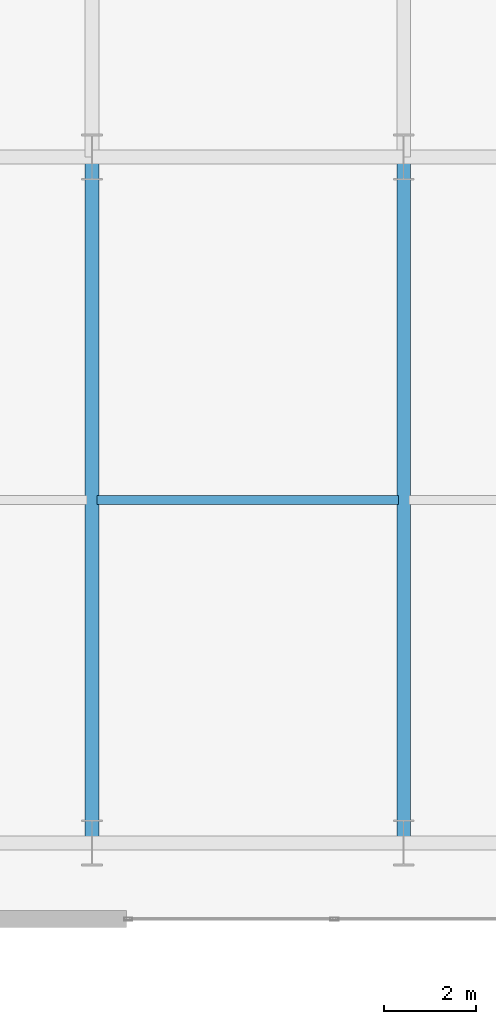
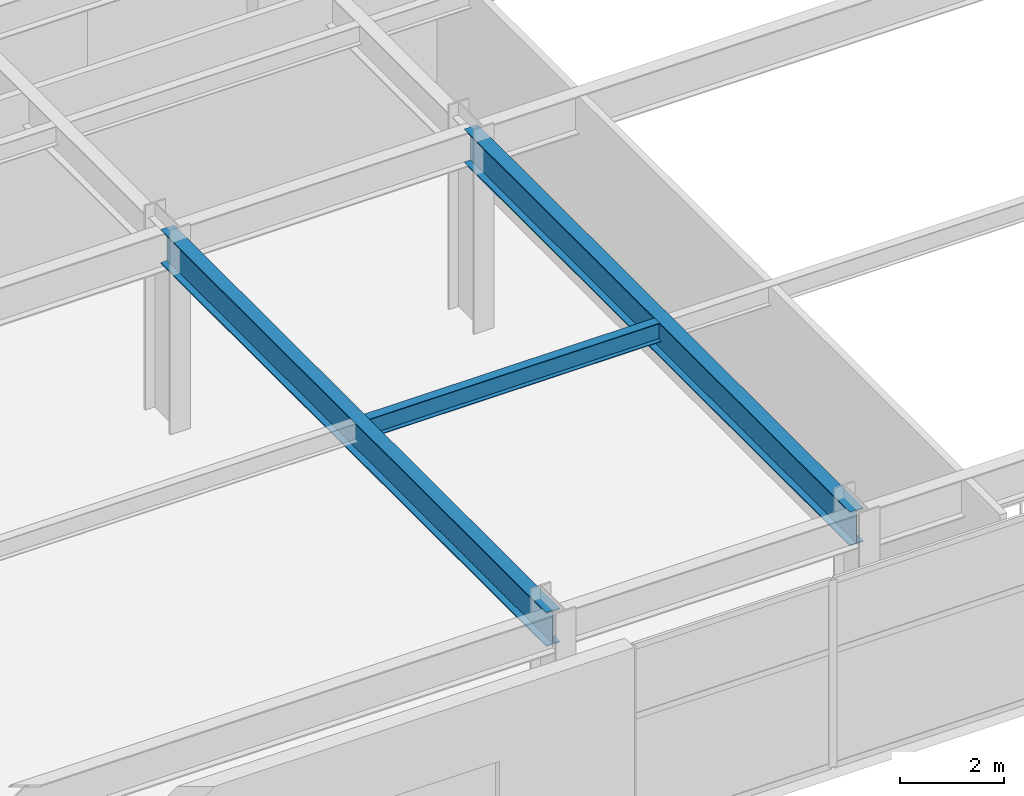
# One storey, part 5 of 25: 3 beams.
"""IFC4 building model written with IfcOpenShell, lengths in metres."""

from ifc_helpers import new_model, si_unit, direction, frame, origin, origin_2d, place, context, subcontext, project, spatial, i_section, extrude, material, material_profile, profile_set, type_object, element, save


model = new_model("IFC4")

# Units and contexts
model_context = context("Model", 3, precision=1e-05, world=origin(), true_north=direction((0.0, 1.0)))
body_context = subcontext(model_context, "Body", "Model", "MODEL_VIEW")
ifc_project = project(units=[si_unit("LENGTHUNIT", "METRE"), si_unit("AREAUNIT", "SQUARE_METRE"), si_unit("VOLUMEUNIT", "CUBIC_METRE"), si_unit("PLANEANGLEUNIT", "RADIAN"), si_unit("MASSUNIT", "GRAM", prefix="KILO")], contexts=[model_context])

# Site, building, storey
site_placement = place(None, origin())
site = spatial("IfcSite", under=ifc_project, at=site_placement, CompositionType="ELEMENT")
building_placement = place(site_placement, origin())
building = spatial("IfcBuilding", under=site, at=building_placement, Name="Haevon Station Towers", CompositionType="ELEMENT")
storey_placement = place(building_placement, frame((0.0, 0.0, 6.0)))
storey = spatial("IfcBuildingStorey", under=building, at=storey_placement, Name="L01", CompositionType="ELEMENT", Elevation=6.0)

# Beams
ifc_material = material(Name="Steel S355", Category="steel")
ifc_material_profile_1 = material_profile(ifc_material, i_section(OverallWidth=0.199951171875, OverallDepth=0.449951171875, WebThickness=0.009033203125, FlangeThickness=0.013916015625, at=origin_2d()), Name="H-450x200x9x14")
ifc_profile_set_1 = profile_set([ifc_material_profile_1], Name="Steel S355")
beam_type_1 = type_object("IfcBeamType", Name="BM-J450", PredefinedType="JOIST", material=ifc_profile_set_1)
beam_placement = place(storey_placement, frame((44.360107421875, 22.574951171875, 4.27490234375), z_axis=(1.0, 0.0, 0.0), x_axis=(0.0, 1.0, 0.0)))
element("IfcBeam", 1, at=beam_placement, inside=storey, type_object=beam_type_1, Name="BM-T1J-L01-01-04", PredefinedType="JOIST", context=body_context, shape_type="SweptSolid", body=[
    extrude(i_section(OverallWidth=0.199951171875, OverallDepth=0.449951171875, WebThickness=0.009033203125, FlangeThickness=0.013916015625, at=origin_2d()), origin(), (0.0, 0.0, 1.0), 6.52978515625),
])
ifc_material_profile_2 = material_profile(ifc_material, i_section(OverallWidth=0.300048828125, OverallDepth=0.800048828125, WebThickness=0.013916015625, FlangeThickness=0.02587890625, at=origin_2d()), Name="H-800x300x14x26")
ifc_profile_set_2 = profile_set([ifc_material_profile_2], Name="Steel S355")
beam_type_2 = type_object("IfcBeamType", Name="BM-PG800", PredefinedType="BEAM", material=ifc_profile_set_2)
for number, where, z_axis, x_axis, name in (
    (2, (44.25, 15.14990234375, 4.10009765625), (0.0, 1.0, 0.0), (-1.0, 0.0, 0.0), "BM-T1Y-L01-05-01"),
    (3, (51.0, 15.14990234375, 4.10009765625), (0.0, 1.0, 0.0), (-1.0, 0.0, 0.0), "BM-T1Y-L01-06-01"),
):
    element("IfcBeam", number, at=place(storey_placement, frame(where, z_axis=z_axis, x_axis=x_axis)), inside=storey, type_object=beam_type_2, Name=name, PredefinedType="BEAM", context=body_context, shape_type="SweptSolid", body=[
        extrude(i_section(OverallWidth=0.300048828125, OverallDepth=0.800048828125, WebThickness=0.013916015625, FlangeThickness=0.02587890625, at=origin_2d()), origin(), (0.0, 0.0, 1.0), 14.85009765625),
    ])

save(model, "model.ifc")
